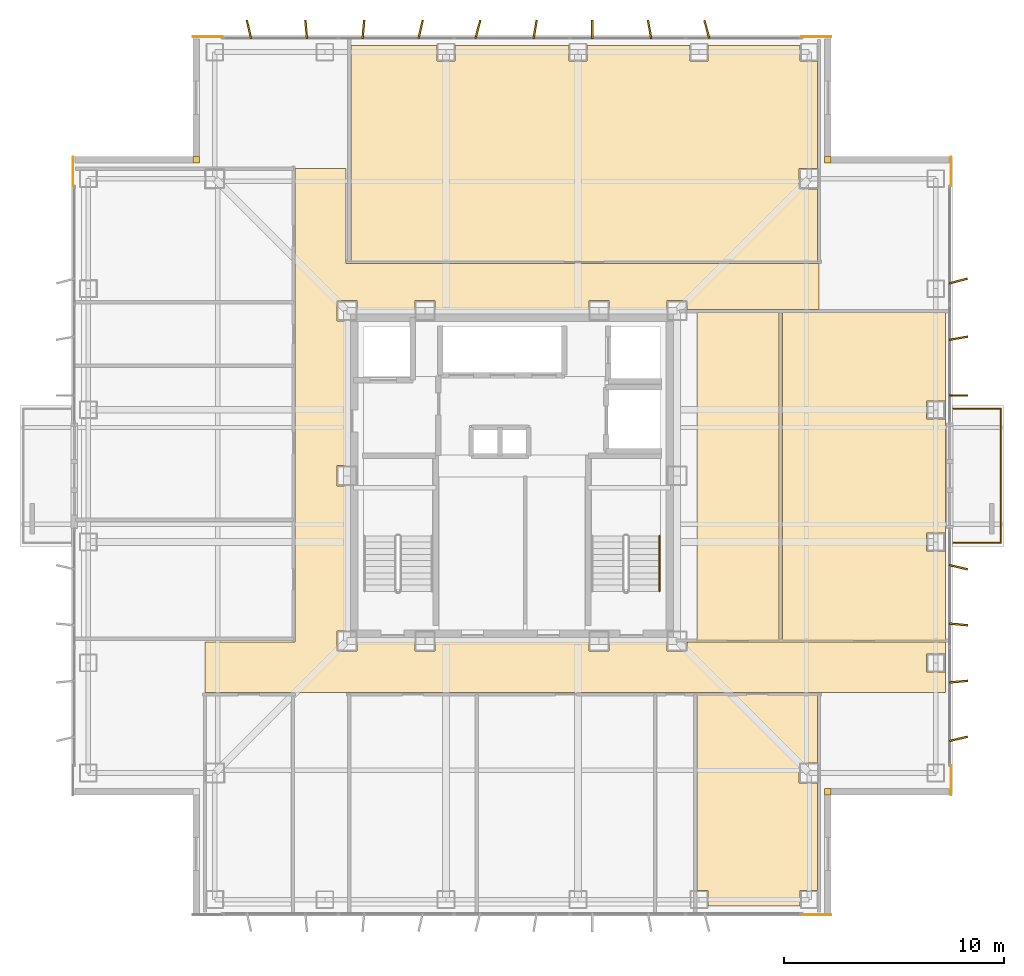
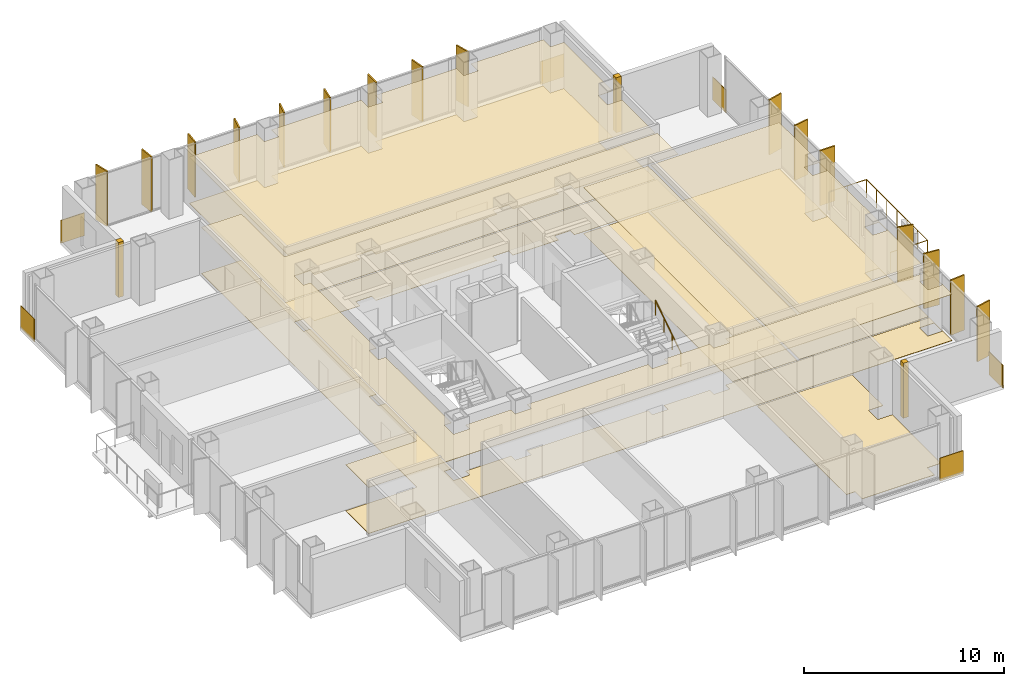
# One storey, part 15 of 15: 18 coverings, 16 shading devices, 4 railings.
"""IFC4 building model written with IfcOpenShell, lengths in metres."""

from ifc_helpers import new_model, si_unit, direction, frame, frame_2d, origin, origin_2d, place, context, subcontext, project, spatial, polyline, rectangle, circle, outline, extrude, material, layer, layer_set, type_object, element, save


model = new_model("IFC4")

# Units and contexts
model_context = context("Model", 3, precision=1e-05, world=origin(), true_north=direction((0.0, 1.0)))
body_context = subcontext(model_context, "Body", "Model", "MODEL_VIEW")
ifc_project = project(units=[si_unit("LENGTHUNIT", "METRE"), si_unit("AREAUNIT", "SQUARE_METRE"), si_unit("VOLUMEUNIT", "CUBIC_METRE"), si_unit("PLANEANGLEUNIT", "RADIAN"), si_unit("MASSUNIT", "GRAM", prefix="KILO")], contexts=[model_context])

# Site, building, storey
site_placement = place(None, origin())
site = spatial("IfcSite", under=ifc_project, at=site_placement, CompositionType="ELEMENT")
building_placement = place(site_placement, origin())
building = spatial("IfcBuilding", under=site, at=building_placement, Name="Trevonay Congress Spire", CompositionType="ELEMENT")
storey_placement = place(building_placement, frame((0.0, 0.0, 216.60009765625)))
storey = spatial("IfcBuildingStorey", under=building, at=storey_placement, Name="L56", CompositionType="ELEMENT", Elevation=216.60009765625)

# Coverings
ifc_material_1 = material(Name="Acoustic Mineral Fibre Board", Category="gypsum")
ifc_layer_1 = layer(ifc_material_1, 0.02490234375, Name="Acoustic Mineral Fibre Board")
ifc_layer_set_1 = layer_set([ifc_layer_1], Name="Acoustic Mineral Fibre Board")
covering_type_1 = type_object("IfcCoveringType", Name="COV-CEIL-ACOUSTIC", PredefinedType="CEILING", material=ifc_layer_set_1)
covering_1_placement = place(storey_placement, frame((0.0, 0.0, 2.809814453125)))
element("IfcCovering", 1, at=covering_1_placement, inside=storey, type_object=covering_type_1, Name="L56 Cruciform Boulevard Corridor acoustic suspended ceiling", PredefinedType="CEILING", context=body_context, shape_type="SweptSolid", body=[
    extrude(outline(polyline([(19.699951171875, -7.550048828125), (19.699951171875, -9.85009765625), (-13.949951171875, -9.85009765625), (-13.949951171875, -7.550048828125), (-9.85009765625, -7.550048828125), (-9.85009765625, 13.949951171875), (-7.550048828125, 13.949951171875), (-7.550048828125, 9.64990234375), (13.949951171875, 9.64990234375), (13.949951171875, 7.550048828125), (7.9599609375, 7.550048828125), (7.9599609375, 7.9599609375), (7.0400390625, 7.9599609375), (7.0400390625, 7.550048828125), (4.409912109375, 7.550048828125), (4.409912109375, 7.9599609375), (3.489990234375, 7.9599609375), (3.489990234375, 7.550048828125), (-3.489990234375, 7.550048828125), (-3.489990234375, 7.9599609375), (-4.409912109375, 7.9599609375), (-4.409912109375, 7.550048828125), (-7.0400390625, 7.550048828125), (-7.0400390625, 7.9599609375), (-7.9599609375, 7.9599609375), (-7.9599609375, 7.0400390625), (-7.550048828125, 7.0400390625), (-7.550048828125, 0.4599609375), (-7.9599609375, 0.4599609375), (-7.9599609375, -0.4599609375), (-7.550048828125, -0.4599609375), (-7.550048828125, -7.0400390625), (-7.9599609375, -7.0400390625), (-7.9599609375, -7.9599609375), (-7.0400390625, -7.9599609375), (-7.0400390625, -7.550048828125), (-4.409912109375, -7.550048828125), (-4.409912109375, -7.9599609375), (-3.489990234375, -7.9599609375), (-3.489990234375, -7.550048828125), (3.489990234375, -7.550048828125), (3.489990234375, -7.9599609375), (4.409912109375, -7.9599609375), (4.409912109375, -7.550048828125), (7.0400390625, -7.550048828125), (7.0400390625, -7.9599609375), (7.9599609375, -7.9599609375), (7.9599609375, -7.550048828125), (19.699951171875, -7.550048828125)]), holes=[polyline([(19.659912109375, -8.090087890625), (18.840087890625, -8.090087890625), (18.840087890625, -8.909912109375), (19.659912109375, -8.909912109375), (19.659912109375, -8.090087890625)])]), origin(), (0.0, 0.0, 1.0), 0.025146484375),
])
covering_2_placement = place(storey_placement, frame((0.0, 0.0, 2.809814453125)))
element("IfcCovering", 2, at=covering_2_placement, inside=storey, type_object=covering_type_1, Name="L56 Main Plenary FinTech Auditorium Hall acoustic suspended ceiling", PredefinedType="CEILING", context=body_context, shape_type="SweptSolid", body=[
    extrude(outline(polyline([(13.8701171875, 9.72998046875), (-7.320068359375, 9.72998046875), (-7.320068359375, 19.550048828125), (-3.409912109375, 19.550048828125), (-3.409912109375, 18.840087890625), (-2.590087890625, 18.840087890625), (-2.590087890625, 19.550048828125), (2.590087890625, 19.550048828125), (2.590087890625, 18.840087890625), (3.409912109375, 18.840087890625), (3.409912109375, 19.550048828125), (8.090087890625, 19.550048828125), (8.090087890625, 18.840087890625), (8.909912109375, 18.840087890625), (8.909912109375, 19.550048828125), (13.090087890625, 19.550048828125), (13.090087890625, 18.840087890625), (13.8701171875, 18.840087890625), (13.8701171875, 13.9599609375), (13.0400390625, 13.9599609375), (13.0400390625, 13.0400390625), (13.8701171875, 13.0400390625), (13.8701171875, 9.72998046875)])), origin(), (0.0, 0.0, 1.0), 0.025146484375),
])
covering_3_placement = place(storey_placement, frame((0.0, 0.0, 2.809814453125)))
element("IfcCovering", 3, at=covering_3_placement, inside=storey, type_object=covering_type_1, Name="L56 Executive Study Office acoustic suspended ceiling", PredefinedType="CEILING", context=body_context, shape_type="SweptSolid", body=[
    extrude(outline(polyline([(8.39990234375, -7.47998046875), (12.1201171875, -7.47998046875), (12.1201171875, 7.419921875), (8.39990234375, 7.419921875), (8.39990234375, -7.47998046875)])), origin(), (0.0, 0.0, 1.0), 0.025146484375),
])
covering_4_placement = place(storey_placement, frame((0.0, 0.0, 2.809814453125)))
element("IfcCovering", 4, at=covering_4_placement, inside=storey, type_object=covering_type_1, Name="L56 Catering Pantry acoustic suspended ceiling", PredefinedType="CEILING", context=body_context, shape_type="SweptSolid", body=[
    extrude(outline(polyline([(12.280029296875, 7.419921875), (19.699951171875, 7.419921875), (19.699951171875, -7.47998046875), (12.280029296875, -7.47998046875), (12.280029296875, 7.419921875)]), holes=[polyline([(18.840087890625, -3.409912109375), (19.659912109375, -3.409912109375), (19.659912109375, -2.590087890625), (18.840087890625, -2.590087890625), (18.840087890625, -3.409912109375)]), polyline([(18.840087890625, 2.590087890625), (19.659912109375, 2.590087890625), (19.659912109375, 3.409912109375), (18.840087890625, 3.409912109375), (18.840087890625, 2.590087890625)])]), origin(), (0.0, 0.0, 1.0), 0.025146484375),
])
ifc_material_2 = material(Name="Polished Granite Floor Tile", Category="masonry")
ifc_layer_2 = layer(ifc_material_2, 0.02001953125, Name="Polished Granite Floor Tile")
ifc_layer_set_2 = layer_set([ifc_layer_2], Name="Polished Granite Floor Tile")
covering_type_2 = type_object("IfcCoveringType", Name="COV-FLOOR-STONE", PredefinedType="FLOORING", material=ifc_layer_set_2)
covering_5_placement = place(storey_placement, origin())
element("IfcCovering", 5, at=covering_5_placement, inside=storey, type_object=covering_type_2, Name="L56 Cruciform Boulevard Corridor floor finish", PredefinedType="FLOORING", context=body_context, shape_type="SweptSolid", body=[
    extrude(outline(polyline([(19.699951171875, -7.550048828125), (19.699951171875, -9.85009765625), (-13.949951171875, -9.85009765625), (-13.949951171875, -7.550048828125), (-9.85009765625, -7.550048828125), (-9.85009765625, 13.949951171875), (-7.550048828125, 13.949951171875), (-7.550048828125, 9.64990234375), (13.949951171875, 9.64990234375), (13.949951171875, 7.550048828125), (7.9599609375, 7.550048828125), (7.9599609375, 7.9599609375), (7.0400390625, 7.9599609375), (7.0400390625, 7.550048828125), (4.409912109375, 7.550048828125), (4.409912109375, 7.9599609375), (3.489990234375, 7.9599609375), (3.489990234375, 7.550048828125), (-3.489990234375, 7.550048828125), (-3.489990234375, 7.9599609375), (-4.409912109375, 7.9599609375), (-4.409912109375, 7.550048828125), (-7.0400390625, 7.550048828125), (-7.0400390625, 7.9599609375), (-7.9599609375, 7.9599609375), (-7.9599609375, 7.0400390625), (-7.550048828125, 7.0400390625), (-7.550048828125, 0.4599609375), (-7.9599609375, 0.4599609375), (-7.9599609375, -0.4599609375), (-7.550048828125, -0.4599609375), (-7.550048828125, -7.0400390625), (-7.9599609375, -7.0400390625), (-7.9599609375, -7.9599609375), (-7.0400390625, -7.9599609375), (-7.0400390625, -7.550048828125), (-4.409912109375, -7.550048828125), (-4.409912109375, -7.9599609375), (-3.489990234375, -7.9599609375), (-3.489990234375, -7.550048828125), (3.489990234375, -7.550048828125), (3.489990234375, -7.9599609375), (4.409912109375, -7.9599609375), (4.409912109375, -7.550048828125), (7.0400390625, -7.550048828125), (7.0400390625, -7.9599609375), (7.9599609375, -7.9599609375), (7.9599609375, -7.550048828125), (19.699951171875, -7.550048828125)]), holes=[polyline([(19.659912109375, -8.090087890625), (18.840087890625, -8.090087890625), (18.840087890625, -8.909912109375), (19.659912109375, -8.909912109375), (19.659912109375, -8.090087890625)])]), origin(), (0.0, 0.0, 1.0), 0.02001953125),
])
covering_6_placement = place(storey_placement, origin())
element("IfcCovering", 6, at=covering_6_placement, inside=storey, type_object=covering_type_2, Name="L56 Floor Supplies and Copy Room floor finish", PredefinedType="FLOORING", context=body_context, shape_type="SweptSolid", body=[
    extrude(outline(polyline([(8.909912109375, -19.550048828125), (8.909912109375, -18.840087890625), (8.409912109375, -18.840087890625), (8.409912109375, -9.929931640625), (13.8701171875, -9.929931640625), (13.8701171875, -13.0400390625), (13.0400390625, -13.0400390625), (13.0400390625, -13.9599609375), (13.8701171875, -13.9599609375), (13.8701171875, -18.840087890625), (13.090087890625, -18.840087890625), (13.090087890625, -19.550048828125), (8.909912109375, -19.550048828125)])), origin(), (0.0, 0.0, 1.0), 0.02001953125),
])
covering_7_placement = place(storey_placement, origin())
element("IfcCovering", 7, at=covering_7_placement, inside=storey, type_object=covering_type_2, Name="L56 Main Plenary FinTech Auditorium Hall floor finish", PredefinedType="FLOORING", context=body_context, shape_type="SweptSolid", body=[
    extrude(outline(polyline([(13.8701171875, 9.72998046875), (-7.320068359375, 9.72998046875), (-7.320068359375, 19.550048828125), (-3.409912109375, 19.550048828125), (-3.409912109375, 18.840087890625), (-2.590087890625, 18.840087890625), (-2.590087890625, 19.550048828125), (2.590087890625, 19.550048828125), (2.590087890625, 18.840087890625), (3.409912109375, 18.840087890625), (3.409912109375, 19.550048828125), (8.090087890625, 19.550048828125), (8.090087890625, 18.840087890625), (8.909912109375, 18.840087890625), (8.909912109375, 19.550048828125), (13.090087890625, 19.550048828125), (13.090087890625, 18.840087890625), (13.8701171875, 18.840087890625), (13.8701171875, 13.9599609375), (13.0400390625, 13.9599609375), (13.0400390625, 13.0400390625), (13.8701171875, 13.0400390625), (13.8701171875, 9.72998046875)])), origin(), (0.0, 0.0, 1.0), 0.02001953125),
])
covering_8_placement = place(storey_placement, origin())
element("IfcCovering", 8, at=covering_8_placement, inside=storey, type_object=covering_type_2, Name="L56 Catering Pantry floor finish", PredefinedType="FLOORING", context=body_context, shape_type="SweptSolid", body=[
    extrude(outline(polyline([(12.280029296875, 7.419921875), (19.699951171875, 7.419921875), (19.699951171875, -7.47998046875), (12.280029296875, -7.47998046875), (12.280029296875, 7.419921875)]), holes=[polyline([(18.840087890625, -3.409912109375), (19.659912109375, -3.409912109375), (19.659912109375, -2.590087890625), (18.840087890625, -2.590087890625), (18.840087890625, -3.409912109375)]), polyline([(18.840087890625, 2.590087890625), (19.659912109375, 2.590087890625), (19.659912109375, 3.409912109375), (18.840087890625, 3.409912109375), (18.840087890625, 2.590087890625)])]), origin(), (0.0, 0.0, 1.0), 0.02001953125),
])
ifc_material_3 = material(Name="Engineered Oak Flooring", Category="wood")
ifc_layer_3 = layer(ifc_material_3, 0.01806640625, Name="Engineered Oak Flooring")
ifc_layer_set_3 = layer_set([ifc_layer_3], Name="Engineered Oak Flooring")
covering_type_3 = type_object("IfcCoveringType", Name="COV-FLOOR-TIMBER", PredefinedType="FLOORING", material=ifc_layer_set_3)
covering_9_placement = place(storey_placement, origin())
element("IfcCovering", 9, at=covering_9_placement, inside=storey, type_object=covering_type_3, Name="L56 Executive Study Office floor finish", PredefinedType="FLOORING", context=body_context, shape_type="SweptSolid", body=[
    extrude(outline(polyline([(8.39990234375, -7.47998046875), (12.1201171875, -7.47998046875), (12.1201171875, 7.419921875), (8.39990234375, 7.419921875), (8.39990234375, -7.47998046875)])), origin(), (0.0, 0.0, 1.0), 0.017822265625),
])
ifc_material_4 = material(Name="Pale Anodised Aluminium EN AW-6063-T6", Category="aluminium")
ifc_layer_4 = layer(ifc_material_4, 0.0400390625, Name="Pale Anodised Aluminium EN AW-6063-T6")
ifc_layer_set_4 = layer_set([ifc_layer_4], Name="Pale Anodised Aluminium EN AW-6063-T6")
covering_type_4 = type_object("IfcCoveringType", Name="COV-SPANDREL-PALE-METAL", PredefinedType="CLADDING", material=ifc_layer_set_4)
covering_10_placement = place(storey_placement, origin())
element("IfcCovering", 10, at=covering_10_placement, inside=storey, type_object=covering_type_4, Name="L56 SE re-entrant notch corner closure trim", PredefinedType="CLADDING", context=body_context, shape_type="SweptSolid", body=[
    extrude(outline(polyline([(14.199951171875, -14.5), (14.5, -14.5), (14.5, -14.199951171875), (14.199951171875, -14.199951171875), (14.199951171875, -14.5)])), origin(), (0.0, 0.0, 1.0), 3.35986328125),
])
for number, where, z_axis, x_axis, name in (
    (11, (19.93994140625, -13.14990234375, -0.150146484375), (0.0, 0.0, 1.0), (0.0, -1.0, 0.0), "L56 SE corner pier spandrel cladding 1"),
    (12, (13.14990234375, -19.93994140625, -0.150146484375), (0.0, 0.0, 1.0), (1.0, 0.0, 0.0), "L56 SE corner pier spandrel cladding 2"),
):
    element("IfcCovering", number, at=place(storey_placement, frame(where, z_axis=z_axis, x_axis=x_axis)), inside=storey, type_object=covering_type_4, Name=name, PredefinedType="CLADDING", context=body_context, shape_type="SweptSolid", body=[
        extrude(rectangle(XDim=1.35009765625, YDim=0.0400390625, at=frame_2d((0.675048828125, 0.0))), origin(), (0.0, 0.0, 1.0), 1.400146484375),
    ])
covering_11_placement = place(storey_placement, origin())
element("IfcCovering", 13, at=covering_11_placement, inside=storey, type_object=covering_type_4, Name="L56 NE re-entrant notch corner closure trim", PredefinedType="CLADDING", context=body_context, shape_type="SweptSolid", body=[
    extrude(outline(polyline([(14.199951171875, 14.199951171875), (14.5, 14.199951171875), (14.5, 14.5), (14.199951171875, 14.5), (14.199951171875, 14.199951171875)])), origin(), (0.0, 0.0, 1.0), 3.35986328125),
])
for number, where, z_axis, x_axis, name in (
    (14, (19.93994140625, 13.14990234375, -0.150146484375), (0.0, 0.0, 1.0), (0.0, 1.0, 0.0), "L56 NE corner pier spandrel cladding 1"),
    (15, (13.14990234375, 19.93994140625, -0.150146484375), (0.0, 0.0, 1.0), (1.0, 0.0, 0.0), "L56 NE corner pier spandrel cladding 2"),
):
    element("IfcCovering", number, at=place(storey_placement, frame(where, z_axis=z_axis, x_axis=x_axis)), inside=storey, type_object=covering_type_4, Name=name, PredefinedType="CLADDING", context=body_context, shape_type="SweptSolid", body=[
        extrude(rectangle(XDim=1.35009765625, YDim=0.0400390625, at=frame_2d((0.675048828125, 0.0))), origin(), (0.0, 0.0, 1.0), 1.400146484375),
    ])
covering_12_placement = place(storey_placement, origin())
element("IfcCovering", 16, at=covering_12_placement, inside=storey, type_object=covering_type_4, Name="L56 NW re-entrant notch corner closure trim", PredefinedType="CLADDING", context=body_context, shape_type="SweptSolid", body=[
    extrude(outline(polyline([(-14.5, 14.199951171875), (-14.199951171875, 14.199951171875), (-14.199951171875, 14.5), (-14.5, 14.5), (-14.5, 14.199951171875)])), origin(), (0.0, 0.0, 1.0), 3.35986328125),
])
for number, where, z_axis, x_axis, name in (
    (17, (-19.93994140625, 13.14990234375, -0.150146484375), (0.0, 0.0, 1.0), (0.0, 1.0, 0.0), "L56 NW corner pier spandrel cladding 1"),
    (18, (-13.14990234375, 19.93994140625, -0.150146484375), (0.0, 0.0, 1.0), (-1.0, 0.0, 0.0), "L56 NW corner pier spandrel cladding 2"),
):
    element("IfcCovering", number, at=place(storey_placement, frame(where, z_axis=z_axis, x_axis=x_axis)), inside=storey, type_object=covering_type_4, Name=name, PredefinedType="CLADDING", context=body_context, shape_type="SweptSolid", body=[
        extrude(rectangle(XDim=1.35009765625, YDim=0.0400390625, at=frame_2d((0.675048828125, 0.0))), origin(), (0.0, 0.0, 1.0), 1.400146484375),
    ])

# Railings
railing_type_1 = type_object("IfcRailingType", Name="RAL-EXT-GUARD-115", PredefinedType="GUARDRAIL", material=ifc_material_4)
railing_1_placement = place(storey_placement, frame((20.050048828125, -3.050048828125, 0.0)))
element("IfcRailing", 19, at=railing_1_placement, inside=storey, type_object=railing_type_1, Name="L56 perimeter safety guard GRD-L56-TBAL-E-1", PredefinedType="GUARDRAIL", context=body_context, shape_type="SweptSolid", body=[
    extrude(circle(Radius=0.02392578125, at=origin_2d()), frame((0.0, 0.0, 1.1259765625), z_axis=(1.0, 0.0, 0.0), x_axis=(0.0, 1.0, 0.0)), (0.0, 0.0, 1.0), 2.14990234375),
    extrude(circle(Radius=0.02099609375, at=origin_2d()), origin(), (0.0, 0.0, 1.0), 1.101806640625),
    extrude(circle(Radius=0.02099609375, at=origin_2d()), frame((1.074951171875, 0.0, 0.0)), (0.0, 0.0, 1.0), 1.101806640625),
    extrude(circle(Radius=0.02099609375, at=origin_2d()), frame((2.14990234375, 0.0, 0.0)), (0.0, 0.0, 1.0), 1.101806640625),
])
railing_2_placement = place(storey_placement, frame((22.199951171875, -3.050048828125, 0.0)))
element("IfcRailing", 20, at=railing_2_placement, inside=storey, type_object=railing_type_1, Name="L56 perimeter safety guard GRD-L56-TBAL-E-2", PredefinedType="GUARDRAIL", context=body_context, shape_type="SweptSolid", body=[
    extrude(circle(Radius=0.02392578125, at=origin_2d()), frame((0.0, 0.0, 1.1259765625), z_axis=(0.0, 1.0, 0.0), x_axis=(-1.0, 0.0, 0.0)), (0.0, 0.0, 1.0), 6.10009765625),
    extrude(circle(Radius=0.02099609375, at=origin_2d()), origin(), (0.0, 0.0, 1.0), 1.101806640625),
    extrude(circle(Radius=0.02099609375, at=origin_2d()), frame((0.0, 1.0166015625, 0.0)), (0.0, 0.0, 1.0), 1.101806640625),
    extrude(circle(Radius=0.02099609375, at=origin_2d()), frame((0.0, 2.033447265625, 0.0)), (0.0, 0.0, 1.0), 1.101806640625),
    extrude(circle(Radius=0.02099609375, at=origin_2d()), frame((0.0, 3.050048828125, 0.0)), (0.0, 0.0, 1.0), 1.101806640625),
    extrude(circle(Radius=0.02099609375, at=origin_2d()), frame((0.0, 4.066650390625, 0.0)), (0.0, 0.0, 1.0), 1.101806640625),
    extrude(circle(Radius=0.02099609375, at=origin_2d()), frame((0.0, 5.08349609375, 0.0)), (0.0, 0.0, 1.0), 1.101806640625),
    extrude(circle(Radius=0.02099609375, at=origin_2d()), frame((0.0, 6.10009765625, 0.0)), (0.0, 0.0, 1.0), 1.101806640625),
])
railing_3_placement = place(storey_placement, frame((22.199951171875, 3.050048828125, 0.0)))
element("IfcRailing", 21, at=railing_3_placement, inside=storey, type_object=railing_type_1, Name="L56 perimeter safety guard GRD-L56-TBAL-E-3", PredefinedType="GUARDRAIL", context=body_context, shape_type="SweptSolid", body=[
    extrude(circle(Radius=0.02392578125, at=origin_2d()), frame((0.0, 0.0, 1.1259765625), z_axis=(-1.0, 0.0, 0.0), x_axis=(0.0, -1.0, 0.0)), (0.0, 0.0, 1.0), 2.14990234375),
    extrude(circle(Radius=0.02099609375, at=origin_2d()), origin(), (0.0, 0.0, 1.0), 1.101806640625),
    extrude(circle(Radius=0.02099609375, at=origin_2d()), frame((-1.074951171875, 0.0, 0.0)), (0.0, 0.0, 1.0), 1.101806640625),
    extrude(circle(Radius=0.02099609375, at=origin_2d()), frame((-2.14990234375, 0.0, 0.0)), (0.0, 0.0, 1.0), 1.101806640625),
])
railing_type_2 = type_object("IfcRailingType", Name="RAL-STAIR-HANDRAIL", PredefinedType="HANDRAIL", material=ifc_material_4)
railing_4_placement = place(storey_placement, frame((6.699951171875, -5.25, 0.179931640625)))
element("IfcRailing", 22, at=railing_4_placement, inside=storey, type_object=railing_type_2, Name="L56 ST-2 stair handrail 1", PredefinedType="HANDRAIL", context=body_context, shape_type="SweptSolid", body=[
    extrude(circle(Radius=0.02392578125, at=origin_2d()), frame((0.0, 0.0, 0.8759765625), z_axis=(0.0, 0.841199657755, 0.540724639528), x_axis=(-1.0, 0.0, 0.0)), (0.0, 0.0, 1.0), 2.995849609375),
    extrude(circle(Radius=0.02099609375, at=origin_2d()), origin(), (0.0, 0.0, 1.0), 0.851806640625),
    extrude(circle(Radius=0.02099609375, at=origin_2d()), frame((0.0, 0.840087890625, 0.5400390625)), (0.0, 0.0, 1.0), 0.851806640625),
    extrude(circle(Radius=0.02099609375, at=origin_2d()), frame((0.0, 1.679931640625, 1.079833984375)), (0.0, 0.0, 1.0), 0.851806640625),
    extrude(circle(Radius=0.02099609375, at=origin_2d()), frame((0.0, 2.52001953125, 1.619873046875)), (0.0, 0.0, 1.0), 0.851806640625),
])

# Shading devices
shading_device_type = type_object("IfcShadingDeviceType", Name="SHD-FIN-Z3-PALE-METAL", PredefinedType="USERDEFINED", material=ifc_material_4)
for number, where, z_axis, x_axis, name in (
    (23, (-11.949951171875, 20.280029296875, 0.0), (0.0, 0.0, 1.0), (0.97440931131, 0.224780991261, 0.0), "L56 N vertical pale-metal solar fin 1"),
    (24, (-9.35009765625, 20.280029296875, 0.0), (0.0, 0.0, 1.0), (0.995994383933, 0.089415810539, 0.0), "L56 N vertical pale-metal solar fin 2"),
    (25, (-6.75, 20.280029296875, 0.0), (0.0, 0.0, 1.0), (0.995994383933, -0.089415810539, 0.0), "L56 N vertical pale-metal solar fin 3"),
    (26, (-4.14990234375, 20.280029296875, 0.0), (0.0, 0.0, 1.0), (0.97440931131, -0.224780991261, 0.0), "L56 N vertical pale-metal solar fin 4"),
    (27, (-1.550048828125, 20.280029296875, 0.0), (0.0, 0.0, 1.0), (0.966957007154, -0.2549394954, 0.0), "L56 N vertical pale-metal solar fin 5"),
    (28, (1.050048828125, 20.280029296875, 0.0), (0.0, 0.0, 1.0), (0.98587937025, -0.16745706111, 0.0), "L56 N vertical pale-metal solar fin 6"),
    (29, (3.64990234375, 20.280029296875, 0.0), (0.0, 0.0, 1.0), (1.0, 0.0, 0.0), "L56 N vertical pale-metal solar fin 7"),
    (30, (6.25, 20.280029296875, 0.0), (0.0, 0.0, 1.0), (0.98587937025, 0.16745706111, 0.0), "L56 N vertical pale-metal solar fin 8"),
    (31, (8.85009765625, 20.280029296875, 0.0), (0.0, 0.0, 1.0), (0.966957007154, 0.2549394954, 0.0), "L56 N vertical pale-metal solar fin 9"),
    (32, (20.280029296875, -11.949951171875, 0.0), (0.0, 0.0, 1.0), (-0.224780991261, 0.97440931131, 0.0), "L56 E vertical pale-metal solar fin 1"),
    (33, (20.280029296875, -9.35009765625, 0.0), (0.0, 0.0, 1.0), (-0.089415810539, 0.995994383933, 0.0), "L56 E vertical pale-metal solar fin 2"),
    (34, (20.280029296875, -6.75, 0.0), (0.0, 0.0, 1.0), (0.089415810539, 0.995994383933, 0.0), "L56 E vertical pale-metal solar fin 3"),
    (35, (20.280029296875, -4.14990234375, 0.0), (0.0, 0.0, 1.0), (0.224780991261, 0.97440931131, 0.0), "L56 E vertical pale-metal solar fin 4"),
    (36, (20.280029296875, 3.64990234375, 0.0), (0.0, 0.0, 1.0), (0.0, 1.0, 0.0), "L56 E vertical pale-metal solar fin 7"),
    (37, (20.280029296875, 6.25, 0.0), (0.0, 0.0, 1.0), (-0.16745706111, 0.98587937025, 0.0), "L56 E vertical pale-metal solar fin 8"),
    (38, (20.280029296875, 8.85009765625, 0.0), (0.0, 0.0, 1.0), (-0.2549394954, 0.966957007154, 0.0), "L56 E vertical pale-metal solar fin 9"),
):
    element("IfcShadingDevice", number, at=place(storey_placement, frame(where, z_axis=z_axis, x_axis=x_axis)), inside=storey, type_object=shading_device_type, Name=name, ObjectType="SOLAR FIN", PredefinedType="USERDEFINED", context=body_context, shape_type="SweptSolid", body=[
        extrude(rectangle(XDim=0.080078125, YDim=0.85009765625, at=origin_2d()), origin(), (0.0, 0.0, 1.0), 3.360107421875),
    ])

save(model, "model.ifc")
